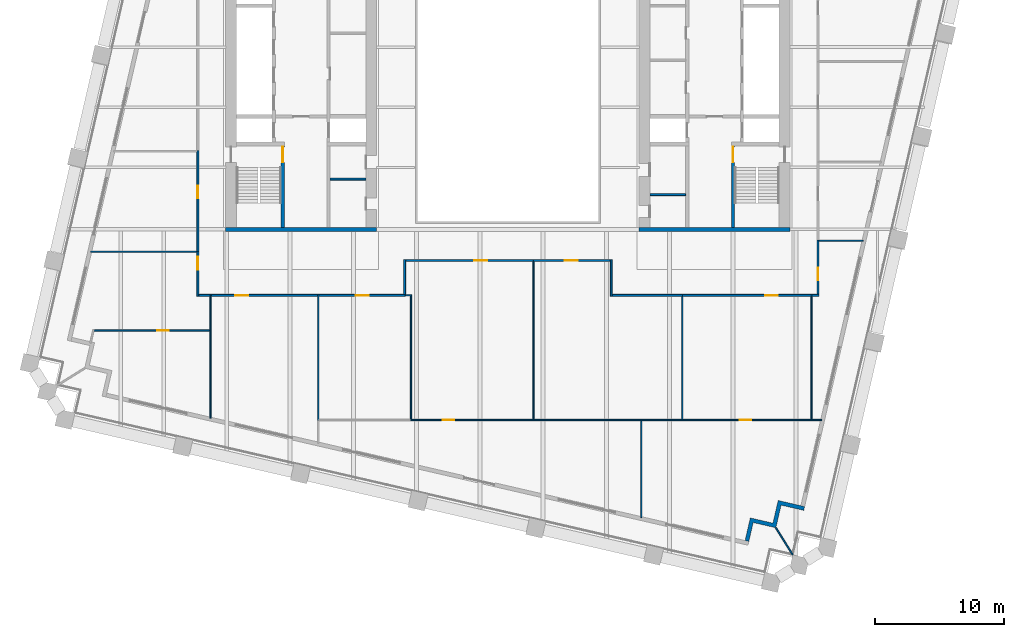
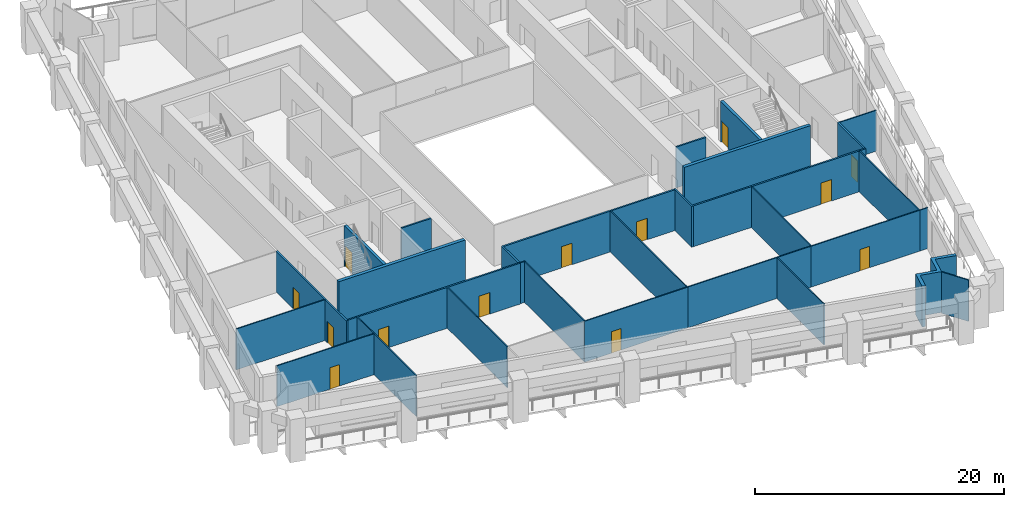
# One storey, part 4 of 9: 38 walls, 13 doors, 13 openings.
"""IFC4 building model written with IfcOpenShell, lengths in metres."""

from ifc_helpers import new_model, si_unit, direction, frame, frame_2d, origin, place, context, subcontext, project, spatial, polyline, rectangle, outline, extrude, material, layer, layer_set, type_object, element, fill, save


model = new_model("IFC4")

# Units and contexts
model_context = context("Model", 3, precision=1e-05, world=origin(), true_north=direction((0.0, 1.0)))
body_context = subcontext(model_context, "Body", "Model", "MODEL_VIEW")
ifc_project = project(units=[si_unit("LENGTHUNIT", "METRE"), si_unit("AREAUNIT", "SQUARE_METRE"), si_unit("VOLUMEUNIT", "CUBIC_METRE"), si_unit("PLANEANGLEUNIT", "RADIAN"), si_unit("MASSUNIT", "GRAM", prefix="KILO")], contexts=[model_context])

# Site, building, storey
site_placement = place(None, origin())
site = spatial("IfcSite", under=ifc_project, at=site_placement, CompositionType="ELEMENT")
building_placement = place(site_placement, origin())
building = spatial("IfcBuilding", under=site, at=building_placement, Name="Ogive Exchange Tower", CompositionType="ELEMENT")
storey_placement = place(building_placement, frame((0.0, 0.0, 126.60009765625)))
storey = spatial("IfcBuildingStorey", under=building, at=storey_placement, Name="L27", CompositionType="ELEMENT", Elevation=126.60009765625)

# Walls
ifc_material_1 = material(Name="Gypsum board partition")
ifc_layer_1 = layer(ifc_material_1, 0.14990234375)
ifc_layer_set_1 = layer_set([ifc_layer_1], Name="Core room partition 150 gypsum")
wall_type_1 = type_object("IfcWallType", Name="Core room partition 150 gypsum", PredefinedType="PARTITIONING", material=ifc_layer_set_1)
for number, where, z_axis, x_axis, name in (
    (1, (-13.75, 1.300048828125, 0.0), (0.0, 0.0, 1.0), (1.0, 0.0, 0.0), "W south room partition"),
    (2, (11.0, 0.10009765625, 0.0), (0.0, 0.0, 1.0), (1.0, 0.0, 0.0), "E south room partition"),
):
    element("IfcWall", number, at=place(storey_placement, frame(where, z_axis=z_axis, x_axis=x_axis)), inside=storey, type_object=wall_type_1, Name=name, PredefinedType="PARTITIONING", context=body_context, shape_type="SweptSolid", body=[
        extrude(rectangle(XDim=2.75, YDim=0.14990234375, at=frame_2d((1.375, 0.0))), origin(), (0.0, 0.0, 1.0), 4.0),
    ])

# Wall, opening, door
ifc_material_2 = material(Name="Fire partition EI 60 150")
ifc_layer_2 = layer(ifc_material_2, 0.14990234375)
ifc_layer_set_2 = layer_set([ifc_layer_2], Name="Fire partition EI 60 150")
wall_type_2 = type_object("IfcWallType", Name="Fire partition EI 60 150", PredefinedType="PARTITIONING", material=ifc_layer_set_2)
wall_1_placement = place(storey_placement, frame((-24.0, -7.77490234375, 0.0), z_axis=(0.0, 0.0, 1.0), x_axis=(0.0, 1.0, 0.0)))
wall_1 = element("IfcWall", 3, at=wall_1_placement, inside=storey, type_object=wall_type_2, Name="L27-PWL-003", PredefinedType="PARTITIONING", context=body_context, shape_type="SweptSolid", body=[
    extrude(rectangle(XDim=3.454833984375, YDim=0.14990234375, at=frame_2d((1.7275390625, 0.0))), origin(), (0.0, 0.0, 1.0), 4.0),
])
opening_1_placement = place(wall_1_placement, frame((2.054931640625, 0.0, 0.0)))
opening_1 = element("IfcOpeningElement", 4, at=opening_1_placement, cuts=wall_1, Name="Opening L27-I22", PredefinedType="OPENING", context=body_context, shape_type="SweptSolid", body=[
    extrude(rectangle(XDim=1.0, YDim=2.10009765625, at=frame_2d((0.5, 1.050048828125))), frame((0.0, 0.0849609375, 0.0), z_axis=(0.0, -1.0, 0.0), x_axis=(1.0, 0.0, 0.0)), (0.0, 0.0, 1.0), 0.169921875),
])
ifc_material_3 = material(Name="Fire door FD 30S 1000 x 2100")
door_type_1 = type_object("IfcDoorType", Name="Fire door FD 30S 1000 x 2100", OperationType="NOTDEFINED", PredefinedType="DOOR", material=ifc_material_3)
door_1_placement = place(opening_1_placement, origin())
door_1 = element("IfcDoor", 5, at=door_1_placement, inside=storey, type_object=door_type_1, Name="L27-IDR-022", ObjectType="DT3", OperationType="SINGLE_SWING_LEFT", OverallHeight=2.10009765625, OverallWidth=1.0, PredefinedType="DOOR", context=body_context, shape_type="SweptSolid", body=[
    extrude(rectangle(XDim=1.0, YDim=2.10009765625, at=frame_2d((0.5, 1.050048828125))), frame((0.0, 0.02490234375, 0.0), z_axis=(0.0, -1.0, 0.0), x_axis=(1.0, 0.0, 0.0)), (0.0, 0.0, 1.0), 0.050048828125),
])
fill(opening_1, door_1)

wall_2_placement = place(storey_placement, frame((-24.0, -4.320068359375, 0.0), z_axis=(0.0, 0.0, 1.0), x_axis=(0.0, 1.0, 0.0)))
wall_2 = element("IfcWall", 6, at=wall_2_placement, inside=storey, type_object=wall_type_2, Name="L27-PWL-005", PredefinedType="PARTITIONING", context=body_context, shape_type="SweptSolid", body=[
    extrude(rectangle(XDim=7.820068359375, YDim=0.14990234375, at=frame_2d((3.91015625, 0.0))), origin(), (0.0, 0.0, 1.0), 4.0),
])
opening_2_placement = place(wall_2_placement, frame((4.1201171875, 0.0, 0.0)))
opening_2 = element("IfcOpeningElement", 7, at=opening_2_placement, cuts=wall_2, Name="Opening L27-I21", PredefinedType="OPENING", context=body_context, shape_type="SweptSolid", body=[
    extrude(rectangle(XDim=1.0, YDim=2.10009765625, at=frame_2d((0.5, 1.050048828125))), frame((0.0, 0.0849609375, 0.0), z_axis=(0.0, -1.0, 0.0), x_axis=(1.0, 0.0, 0.0)), (0.0, 0.0, 1.0), 0.169921875),
])
door_2_placement = place(opening_2_placement, origin())
door_2 = element("IfcDoor", 8, at=door_2_placement, inside=storey, type_object=door_type_1, Name="L27-IDR-021", ObjectType="DT3", OperationType="SINGLE_SWING_LEFT", OverallHeight=2.10009765625, OverallWidth=1.0, PredefinedType="DOOR", context=body_context, shape_type="SweptSolid", body=[
    extrude(rectangle(XDim=1.0, YDim=2.10009765625, at=frame_2d((0.5, 1.050048828125))), frame((0.0, 0.02490234375, 0.0), z_axis=(0.0, -1.0, 0.0), x_axis=(1.0, 0.0, 0.0)), (0.0, 0.0, 1.0), 0.050048828125),
])
fill(opening_2, door_2)

# Wall
wall_3_placement = place(storey_placement, frame((-23.06005859375, -7.699951171875, 0.0), z_axis=(0.0, 0.0, 1.0), x_axis=(-1.0, 0.0, 0.0)))
element("IfcWall", 9, at=wall_3_placement, inside=storey, type_object=wall_type_2, Name="L27-PWL-013", PredefinedType="PARTITIONING", context=body_context, shape_type="SweptSolid", body=[
    extrude(rectangle(XDim=0.864990234375, YDim=0.14990234375, at=frame_2d((0.4326171875, 0.0))), origin(), (0.0, 0.0, 1.0), 4.0),
])

# Wall, opening, door
wall_4_placement = place(storey_placement, frame((-14.719970703125, -7.699951171875, 0.0), z_axis=(0.0, 0.0, 1.0), x_axis=(-1.0, 0.0, 0.0)))
wall_4 = element("IfcWall", 10, at=wall_4_placement, inside=storey, type_object=wall_type_2, Name="L27-PWL-017", PredefinedType="PARTITIONING", context=body_context, shape_type="SweptSolid", body=[
    extrude(rectangle(XDim=8.239990234375, YDim=0.14990234375, at=frame_2d((4.1201171875, 0.0))), origin(), (0.0, 0.0, 1.0), 4.0),
])
opening_3_placement = place(wall_4_placement, frame((5.389892578125, 0.0, 0.0)))
opening_3 = element("IfcOpeningElement", 11, at=opening_3_placement, cuts=wall_4, Name="Opening L27-I20", PredefinedType="OPENING", context=body_context, shape_type="SweptSolid", body=[
    extrude(rectangle(XDim=1.0, YDim=2.10009765625, at=frame_2d((0.5, 1.050048828125))), frame((0.0, 0.0849609375, 0.0), z_axis=(0.0, -1.0, 0.0), x_axis=(1.0, 0.0, 0.0)), (0.0, 0.0, 1.0), 0.169921875),
])
door_3_placement = place(opening_3_placement, origin())
door_3 = element("IfcDoor", 12, at=door_3_placement, inside=storey, type_object=door_type_1, Name="L27-IDR-020", ObjectType="DT3", OperationType="SINGLE_SWING_LEFT", OverallHeight=2.10009765625, OverallWidth=1.0, PredefinedType="DOOR", context=body_context, shape_type="SweptSolid", body=[
    extrude(rectangle(XDim=1.0, YDim=2.10009765625, at=frame_2d((0.5, 1.050048828125))), frame((0.0, 0.02490234375, 0.0), z_axis=(0.0, -1.0, 0.0), x_axis=(1.0, 0.0, 0.0)), (0.0, 0.0, 1.0), 0.050048828125),
])
fill(opening_3, door_3)

wall_5_placement = place(storey_placement, frame((-7.925048828125, -7.699951171875, 0.0), z_axis=(0.0, 0.0, 1.0), x_axis=(-1.0, 0.0, 0.0)))
wall_5 = element("IfcWall", 13, at=wall_5_placement, inside=storey, type_object=wall_type_2, Name="L27-PWL-021", PredefinedType="PARTITIONING", context=body_context, shape_type="SweptSolid", body=[
    extrude(rectangle(XDim=6.695068359375, YDim=0.14990234375, at=frame_2d((3.34765625, 0.0))), origin(), (0.0, 0.0, 1.0), 4.0),
])
opening_4_placement = place(wall_5_placement, frame((2.844970703125, 0.0, 0.0)))
opening_4 = element("IfcOpeningElement", 14, at=opening_4_placement, cuts=wall_5, Name="Opening L27-I03", PredefinedType="OPENING", context=body_context, shape_type="SweptSolid", body=[
    extrude(rectangle(XDim=1.0, YDim=2.10009765625, at=frame_2d((0.5, 1.050048828125))), frame((0.0, 0.0849609375, 0.0), z_axis=(0.0, -1.0, 0.0), x_axis=(1.0, 0.0, 0.0)), (0.0, 0.0, 1.0), 0.169921875),
])
door_4_placement = place(opening_4_placement, origin())
door_4 = element("IfcDoor", 15, at=door_4_placement, inside=storey, type_object=door_type_1, Name="L27-IDR-003", ObjectType="DT3", OperationType="SINGLE_SWING_LEFT", OverallHeight=2.10009765625, OverallWidth=1.0, PredefinedType="DOOR", context=body_context, shape_type="SweptSolid", body=[
    extrude(rectangle(XDim=1.0, YDim=2.10009765625, at=frame_2d((0.5, 1.050048828125))), frame((0.0, 0.02490234375, 0.0), z_axis=(0.0, -1.0, 0.0), x_axis=(1.0, 0.0, 0.0)), (0.0, 0.0, 1.0), 0.050048828125),
])
fill(opening_4, door_4)

# Wall
wall_6_placement = place(storey_placement, frame((-7.989990234375, -4.925048828125, 0.0), z_axis=(0.0, 0.0, 1.0), x_axis=(0.0, -1.0, 0.0)))
element("IfcWall", 16, at=wall_6_placement, inside=storey, type_object=wall_type_2, Name="L27-PWL-025", PredefinedType="PARTITIONING", context=body_context, shape_type="SweptSolid", body=[
    extrude(rectangle(XDim=2.68994140625, YDim=0.14990234375, at=frame_2d((1.344970703125, 0.0))), origin(), (0.0, 0.0, 1.0), 4.0),
])

# Wall, opening, door
wall_7_placement = place(storey_placement, frame((2.0400390625, -5.0, 0.0), z_axis=(0.0, 0.0, 1.0), x_axis=(-1.0, 0.0, 0.0)))
wall_7 = element("IfcWall", 17, at=wall_7_placement, inside=storey, type_object=wall_type_2, Name="L27-PWL-032", PredefinedType="PARTITIONING", context=body_context, shape_type="SweptSolid", body=[
    extrude(rectangle(XDim=9.955078125, YDim=0.14990234375, at=frame_2d((4.9775390625, 0.0))), origin(), (0.0, 0.0, 1.0), 4.0),
])
opening_5_placement = place(wall_7_placement, frame((3.6298828125, 0.0, 0.0)))
opening_5 = element("IfcOpeningElement", 18, at=opening_5_placement, cuts=wall_7, Name="Opening L27-I04", PredefinedType="OPENING", context=body_context, shape_type="SweptSolid", body=[
    extrude(rectangle(XDim=1.0, YDim=2.10009765625, at=frame_2d((0.5, 1.050048828125))), frame((0.0, 0.0849609375, 0.0), z_axis=(0.0, -1.0, 0.0), x_axis=(1.0, 0.0, 0.0)), (0.0, 0.0, 1.0), 0.169921875),
])
door_5_placement = place(opening_5_placement, origin())
door_5 = element("IfcDoor", 19, at=door_5_placement, inside=storey, type_object=door_type_1, Name="L27-IDR-004", ObjectType="DT3", OperationType="SINGLE_SWING_RIGHT", OverallHeight=2.10009765625, OverallWidth=1.0, PredefinedType="DOOR", context=body_context, shape_type="SweptSolid", body=[
    extrude(rectangle(XDim=1.0, YDim=2.10009765625, at=frame_2d((0.5, 1.050048828125))), frame((0.0, 0.02490234375, 0.0), z_axis=(0.0, -1.0, 0.0), x_axis=(1.0, 0.0, 0.0)), (0.0, 0.0, 1.0), 0.050048828125),
])
fill(opening_5, door_5)

# Wall
wall_8_placement = place(storey_placement, frame((8.0, -7.77490234375, 0.0), z_axis=(0.0, 0.0, 1.0), x_axis=(0.0, 1.0, 0.0)))
element("IfcWall", 20, at=wall_8_placement, inside=storey, type_object=wall_type_2, Name="L27-PWL-041", PredefinedType="PARTITIONING", context=body_context, shape_type="SweptSolid", body=[
    extrude(rectangle(XDim=2.849853515625, YDim=0.14990234375, at=frame_2d((1.4248046875, 0.0))), origin(), (0.0, 0.0, 1.0), 4.0),
])

# Wall, opening, door
wall_9_placement = place(storey_placement, frame((7.925048828125, -5.0, 0.0), z_axis=(0.0, 0.0, 1.0), x_axis=(-1.0, 0.0, 0.0)))
wall_9 = element("IfcWall", 21, at=wall_9_placement, inside=storey, type_object=wall_type_2, Name="L27-PWL-042", PredefinedType="PARTITIONING", context=body_context, shape_type="SweptSolid", body=[
    extrude(rectangle(XDim=5.93505859375, YDim=0.14990234375, at=frame_2d((2.967529296875, 0.0))), origin(), (0.0, 0.0, 1.0), 4.0),
])
opening_6_placement = place(wall_9_placement, frame((2.534912109375, 0.0, 0.0)))
opening_6 = element("IfcOpeningElement", 22, at=opening_6_placement, cuts=wall_9, Name="Opening L27-I05", PredefinedType="OPENING", context=body_context, shape_type="SweptSolid", body=[
    extrude(rectangle(XDim=1.0, YDim=2.10009765625, at=frame_2d((0.5, 1.050048828125))), frame((0.0, 0.0849609375, 0.0), z_axis=(0.0, -1.0, 0.0), x_axis=(1.0, 0.0, 0.0)), (0.0, 0.0, 1.0), 0.169921875),
])
door_6_placement = place(opening_6_placement, origin())
door_6 = element("IfcDoor", 23, at=door_6_placement, inside=storey, type_object=door_type_1, Name="L27-IDR-005", ObjectType="DT3", OperationType="SINGLE_SWING_LEFT", OverallHeight=2.10009765625, OverallWidth=1.0, PredefinedType="DOOR", context=body_context, shape_type="SweptSolid", body=[
    extrude(rectangle(XDim=1.0, YDim=2.10009765625, at=frame_2d((0.5, 1.050048828125))), frame((0.0, 0.02490234375, 0.0), z_axis=(0.0, -1.0, 0.0), x_axis=(1.0, 0.0, 0.0)), (0.0, 0.0, 1.0), 0.050048828125),
])
fill(opening_6, door_6)

# Wall
wall_10_placement = place(storey_placement, frame((13.5, -7.699951171875, 0.0), z_axis=(0.0, 0.0, 1.0), x_axis=(-1.0, 0.0, 0.0)))
element("IfcWall", 24, at=wall_10_placement, inside=storey, type_object=wall_type_2, Name="L27-PWL-047", PredefinedType="PARTITIONING", context=body_context, shape_type="SweptSolid", body=[
    extrude(rectangle(XDim=5.425048828125, YDim=0.14990234375, at=frame_2d((2.71240234375, 0.0))), origin(), (0.0, 0.0, 1.0), 4.0),
])

# Wall, opening, door
wall_11_placement = place(storey_placement, frame((23.550048828125, -7.699951171875, 0.0), z_axis=(0.0, 0.0, 1.0), x_axis=(-1.0, 0.0, 0.0)))
wall_11 = element("IfcWall", 25, at=wall_11_placement, inside=storey, type_object=wall_type_2, Name="L27-PWL-054", PredefinedType="PARTITIONING", context=body_context, shape_type="SweptSolid", body=[
    extrude(rectangle(XDim=10.050048828125, YDim=0.14990234375, at=frame_2d((5.02490234375, 0.0))), origin(), (0.0, 0.0, 1.0), 4.0),
])
opening_7_placement = place(wall_11_placement, frame((2.64990234375, 0.0, 0.0)))
opening_7 = element("IfcOpeningElement", 26, at=opening_7_placement, cuts=wall_11, Name="Opening L27-I06", PredefinedType="OPENING", context=body_context, shape_type="SweptSolid", body=[
    extrude(rectangle(XDim=1.0, YDim=2.10009765625, at=frame_2d((0.5, 1.050048828125))), frame((0.0, 0.0849609375, 0.0), z_axis=(0.0, -1.0, 0.0), x_axis=(1.0, 0.0, 0.0)), (0.0, 0.0, 1.0), 0.169921875),
])
door_7_placement = place(opening_7_placement, origin())
door_7 = element("IfcDoor", 27, at=door_7_placement, inside=storey, type_object=door_type_1, Name="L27-IDR-006", ObjectType="DT3", OperationType="SINGLE_SWING_RIGHT", OverallHeight=2.10009765625, OverallWidth=1.0, PredefinedType="DOOR", context=body_context, shape_type="SweptSolid", body=[
    extrude(rectangle(XDim=1.0, YDim=2.10009765625, at=frame_2d((0.5, 1.050048828125))), frame((0.0, 0.02490234375, 0.0), z_axis=(0.0, -1.0, 0.0), x_axis=(1.0, 0.0, 0.0)), (0.0, 0.0, 1.0), 0.050048828125),
])
fill(opening_7, door_7)

# Wall
wall_12_placement = place(storey_placement, frame((24.074951171875, -7.699951171875, 0.0), z_axis=(0.0, 0.0, 1.0), x_axis=(-1.0, 0.0, 0.0)))
element("IfcWall", 28, at=wall_12_placement, inside=storey, type_object=wall_type_2, Name="L27-PWL-056", PredefinedType="PARTITIONING", context=body_context, shape_type="SweptSolid", body=[
    extrude(rectangle(XDim=0.52490234375, YDim=0.14990234375, at=frame_2d((0.262451171875, 0.0))), origin(), (0.0, 0.0, 1.0), 4.0),
])

# Wall, opening, door
wall_13_placement = place(storey_placement, frame((24.0, -3.429931640625, 0.0), z_axis=(0.0, 0.0, 1.0), x_axis=(0.0, -1.0, 0.0)))
wall_13 = element("IfcWall", 29, at=wall_13_placement, inside=storey, type_object=wall_type_2, Name="L27-PWL-057", PredefinedType="PARTITIONING", context=body_context, shape_type="SweptSolid", body=[
    extrude(rectangle(XDim=4.195068359375, YDim=0.14990234375, at=frame_2d((2.09765625, 0.0))), origin(), (0.0, 0.0, 1.0), 4.0),
])
opening_8_placement = place(wall_13_placement, frame((2.1201171875, 0.0, 0.0)))
opening_8 = element("IfcOpeningElement", 30, at=opening_8_placement, cuts=wall_13, Name="Opening L27-I07", PredefinedType="OPENING", context=body_context, shape_type="SweptSolid", body=[
    extrude(rectangle(XDim=1.0, YDim=2.10009765625, at=frame_2d((0.5, 1.050048828125))), frame((0.0, 0.0849609375, 0.0), z_axis=(0.0, -1.0, 0.0), x_axis=(1.0, 0.0, 0.0)), (0.0, 0.0, 1.0), 0.169921875),
])
door_8_placement = place(opening_8_placement, origin())
door_8 = element("IfcDoor", 31, at=door_8_placement, inside=storey, type_object=door_type_1, Name="L27-IDR-007", ObjectType="DT3", OperationType="SINGLE_SWING_RIGHT", OverallHeight=2.10009765625, OverallWidth=1.0, PredefinedType="DOOR", context=body_context, shape_type="SweptSolid", body=[
    extrude(rectangle(XDim=1.0, YDim=2.10009765625, at=frame_2d((0.5, 1.050048828125))), frame((0.0, 0.02490234375, 0.0), z_axis=(0.0, -1.0, 0.0), x_axis=(1.0, 0.0, 0.0)), (0.0, 0.0, 1.0), 0.050048828125),
])
fill(opening_8, door_8)

# Walls
ifc_material_4 = material(Name="Precast concrete C40/50", Category="concrete")
ifc_layer_3 = layer(ifc_material_4, 0.300048828125)
ifc_layer_set_3 = layer_set([ifc_layer_3], Name="Limestone-faced wall 300")
wall_type_3 = type_object("IfcWallType", Name="Limestone-faced wall 300", PredefinedType="STANDARD", material=ifc_layer_set_3)
wall_14_placement = place(storey_placement, origin())
element("IfcWall", 32, at=wall_14_placement, inside=storey, type_object=wall_type_3, Name="External corner wall C1", PredefinedType="STANDARD", context=body_context, shape_type="SweptSolid", body=[
    extrude(outline(polyline([(20.515380859375, -25.330810546875), (20.92041015625, -23.576904296875), (22.966552734375, -24.04931640625), (22.89892578125, -24.341552734375), (21.145263671875, -23.936767578125), (20.740234375, -25.690673828125), (18.986328125, -25.28564453125), (18.64892578125, -26.747314453125), (18.356689453125, -26.6796875), (18.76171875, -24.92578125), (20.515380859375, -25.330810546875)])), origin(), (0.0, 0.0, 1.0), 4.0),
])
ifc_material_5 = material(Name="Laminated safety glass in steel frame", Category="steel")
ifc_layer_4 = layer(ifc_material_5, 0.10009765625)
ifc_layer_set_4 = layer_set([ifc_layer_4], Name="Loggia end screen 100")
wall_type_4 = type_object("IfcWallType", Name="Loggia end screen 100", PredefinedType="STANDARD", material=ifc_layer_set_4)
wall_15_placement = place(storey_placement, frame((20.740234375, -25.690673828125, -0.050048828125), z_axis=(0.0, 0.0, 1.0), x_axis=(0.529972121605, -0.848015064914, 0.0)))
element("IfcWall", 33, at=wall_15_placement, inside=storey, type_object=wall_type_4, Name="Loggia end screen C1", PredefinedType="STANDARD", context=body_context, shape_type="SweptSolid", body=[
    extrude(rectangle(XDim=2.454833984375, YDim=0.10009765625, at=frame_2d((1.2275390625, 0.0))), origin(), (0.0, 0.0, 1.0), 4.050048828125),
])
ifc_material_6 = material(Name="Partition 100 gypsum")
ifc_layer_5 = layer(ifc_material_6, 0.10009765625)
ifc_layer_set_5 = layer_set([ifc_layer_5], Name="Partition 100 gypsum")
wall_type_5 = type_object("IfcWallType", Name="Partition 100 gypsum", PredefinedType="PARTITIONING", material=ifc_layer_set_5)
wall_16_placement = place(storey_placement, frame((-24.074951171875, -4.320068359375, 0.0), z_axis=(0.0, 0.0, 1.0), x_axis=(-1.0, 0.0, 0.0)))
element("IfcWall", 34, at=wall_16_placement, inside=storey, type_object=wall_type_5, Name="L27-PWL-004", PredefinedType="PARTITIONING", context=body_context, shape_type="SweptSolid", body=[
    extrude(rectangle(XDim=8.217041015625, YDim=0.10009765625, at=frame_2d((4.1083984375, 0.0))), origin(), (0.0, 0.0, 1.0), 4.0),
])
wall_17_placement = place(storey_placement, frame((-23.010009765625, -17.2119140625, 0.0), z_axis=(0.0, 0.0, 1.0), x_axis=(0.0, 1.0, 0.0)))
element("IfcWall", 35, at=wall_17_placement, inside=storey, type_object=wall_type_5, Name="L27-PWL-010", PredefinedType="PARTITIONING", context=body_context, shape_type="SweptSolid", body=[
    extrude(rectangle(XDim=6.851806640625, YDim=0.10009765625, at=frame_2d((3.42578125, 0.0))), origin(), (0.0, 0.0, 1.0), 4.0),
])

# Wall, opening, door
wall_18_placement = place(storey_placement, frame((-23.06005859375, -10.409912109375, 0.0), z_axis=(0.0, 0.0, 1.0), x_axis=(-1.0, 0.0, 0.0)))
wall_18 = element("IfcWall", 36, at=wall_18_placement, inside=storey, type_object=wall_type_5, Name="L27-PWL-011", PredefinedType="PARTITIONING", context=body_context, shape_type="SweptSolid", body=[
    extrude(rectangle(XDim=8.969970703125, YDim=0.10009765625, at=frame_2d((4.48486328125, 0.0))), origin(), (0.0, 0.0, 1.0), 4.0),
])
opening_9_placement = place(wall_18_placement, frame((3.169921875, 0.0, 0.0)))
opening_9 = element("IfcOpeningElement", 37, at=opening_9_placement, cuts=wall_18, Name="Opening L27-I23", PredefinedType="OPENING", context=body_context, shape_type="SweptSolid", body=[
    extrude(rectangle(XDim=0.89990234375, YDim=2.10009765625, at=frame_2d((0.449951171875, 1.050048828125))), frame((0.0, 0.06005859375, 0.0), z_axis=(0.0, -1.0, 0.0), x_axis=(1.0, 0.0, 0.0)), (0.0, 0.0, 1.0), 0.1201171875),
])
ifc_material_7 = material(Name="Door 900 x 2100")
door_type_2 = type_object("IfcDoorType", Name="Door 900 x 2100", OperationType="NOTDEFINED", PredefinedType="DOOR", material=ifc_material_7)
door_9_placement = place(opening_9_placement, origin())
door_9 = element("IfcDoor", 38, at=door_9_placement, inside=storey, type_object=door_type_2, Name="L27-IDR-023", ObjectType="DT1", OperationType="SINGLE_SWING_RIGHT", OverallHeight=2.10009765625, OverallWidth=0.89990234375, PredefinedType="DOOR", context=body_context, shape_type="SweptSolid", body=[
    extrude(rectangle(XDim=0.89990234375, YDim=2.10009765625, at=frame_2d((0.449951171875, 1.050048828125))), frame((0.0, 0.02490234375, 0.0), z_axis=(0.0, -1.0, 0.0), x_axis=(1.0, 0.0, 0.0)), (0.0, 0.0, 1.0), 0.050048828125),
])
fill(opening_9, door_9)

# Walls
wall_19_placement = place(storey_placement, frame((-23.010009765625, -10.360107421875, 0.0), z_axis=(0.0, 0.0, 1.0), x_axis=(0.0, 1.0, 0.0)))
element("IfcWall", 39, at=wall_19_placement, inside=storey, type_object=wall_type_5, Name="L27-PWL-012", PredefinedType="PARTITIONING", context=body_context, shape_type="SweptSolid", body=[
    extrude(rectangle(XDim=2.735107421875, YDim=0.10009765625, at=frame_2d((1.36767578125, 0.0))), origin(), (0.0, 0.0, 1.0), 4.0),
])
wall_20_placement = place(storey_placement, frame((-14.669921875, -17.389892578125, 0.0), z_axis=(0.0, 0.0, 1.0), x_axis=(0.0, 1.0, 0.0)))
element("IfcWall", 40, at=wall_20_placement, inside=storey, type_object=wall_type_5, Name="L27-PWL-015", PredefinedType="PARTITIONING", context=body_context, shape_type="SweptSolid", body=[
    extrude(rectangle(XDim=9.764892578125, YDim=0.10009765625, at=frame_2d((4.88232421875, 0.0))), origin(), (0.0, 0.0, 1.0), 4.0),
])
wall_21_placement = place(storey_placement, frame((-7.925048828125, -7.68994140625, 0.0), z_axis=(0.0, 0.0, 1.0), x_axis=(1.0, 0.0, 0.0)))
element("IfcWall", 41, at=wall_21_placement, inside=storey, type_object=wall_type_5, Name="L27-PWL-024", PredefinedType="PARTITIONING", context=body_context, shape_type="SweptSolid", body=[
    extrude(rectangle(XDim=0.47509765625, YDim=0.10009765625, at=frame_2d((0.237548828125, 0.0))), origin(), (0.0, 0.0, 1.0), 4.0),
])

# Wall, opening, door
wall_22_placement = place(storey_placement, frame((-7.550048828125, -17.340087890625, 0.0), z_axis=(0.0, 0.0, 1.0), x_axis=(1.0, 0.0, 0.0)))
wall_22 = element("IfcWall", 42, at=wall_22_placement, inside=storey, type_object=wall_type_5, Name="L27-PWL-026", PredefinedType="PARTITIONING", context=body_context, shape_type="SweptSolid", body=[
    extrude(rectangle(XDim=9.590087890625, YDim=0.10009765625, at=frame_2d((4.794921875, 0.0))), origin(), (0.0, 0.0, 1.0), 4.0),
])
opening_10_placement = place(wall_22_placement, frame((2.5, 0.0, 0.0)))
opening_10 = element("IfcOpeningElement", 43, at=opening_10_placement, cuts=wall_22, Name="Opening L27-I01", PredefinedType="OPENING", context=body_context, shape_type="SweptSolid", body=[
    extrude(rectangle(XDim=0.89990234375, YDim=2.10009765625, at=frame_2d((0.449951171875, 1.050048828125))), frame((0.0, 0.06005859375, 0.0), z_axis=(0.0, -1.0, 0.0), x_axis=(1.0, 0.0, 0.0)), (0.0, 0.0, 1.0), 0.1201171875),
])
door_10_placement = place(opening_10_placement, frame((0.89990234375, 0.0, 0.0), z_axis=(0.0, 0.0, 1.0), x_axis=(-1.0, 0.0, 0.0)))
door_10 = element("IfcDoor", 44, at=door_10_placement, inside=storey, type_object=door_type_2, Name="L27-IDR-001", ObjectType="DT1", OperationType="SINGLE_SWING_LEFT", OverallHeight=2.10009765625, OverallWidth=0.89990234375, PredefinedType="DOOR", context=body_context, shape_type="SweptSolid", body=[
    extrude(rectangle(XDim=0.89990234375, YDim=2.10009765625, at=frame_2d((0.449951171875, 1.050048828125))), frame((0.0, 0.02490234375, 0.0), z_axis=(0.0, -1.0, 0.0), x_axis=(1.0, 0.0, 0.0)), (0.0, 0.0, 1.0), 0.050048828125),
])
fill(opening_10, door_10)

# Walls
wall_23_placement = place(storey_placement, frame((-7.5, -7.739990234375, 0.0), z_axis=(0.0, 0.0, 1.0), x_axis=(0.0, -1.0, 0.0)))
element("IfcWall", 45, at=wall_23_placement, inside=storey, type_object=wall_type_5, Name="L27-PWL-027", PredefinedType="PARTITIONING", context=body_context, shape_type="SweptSolid", body=[
    extrude(rectangle(XDim=9.550048828125, YDim=0.10009765625, at=frame_2d((4.77490234375, 0.0))), origin(), (0.0, 0.0, 1.0), 4.0),
])
wall_24_placement = place(storey_placement, frame((2.0400390625, -17.340087890625, 0.0), z_axis=(0.0, 0.0, 1.0), x_axis=(1.0, 0.0, 0.0)))
element("IfcWall", 46, at=wall_24_placement, inside=storey, type_object=wall_type_5, Name="L27-PWL-031", PredefinedType="PARTITIONING", context=body_context, shape_type="SweptSolid", body=[
    extrude(rectangle(XDim=8.330078125, YDim=0.10009765625, at=frame_2d((4.1650390625, 0.0))), origin(), (0.0, 0.0, 1.0), 4.0),
])
wall_25_placement = place(storey_placement, frame((1.989990234375, -5.074951171875, 0.0), z_axis=(0.0, 0.0, 1.0), x_axis=(0.0, -1.0, 0.0)))
element("IfcWall", 47, at=wall_25_placement, inside=storey, type_object=wall_type_5, Name="L27-PWL-033", PredefinedType="PARTITIONING", context=body_context, shape_type="SweptSolid", body=[
    extrude(rectangle(XDim=12.215087890625, YDim=0.10009765625, at=frame_2d((6.107421875, 0.0))), origin(), (0.0, 0.0, 1.0), 4.0),
])
wall_26_placement = place(storey_placement, frame((10.320068359375, -17.389892578125, 0.0), z_axis=(0.0, 0.0, 1.0), x_axis=(0.0, -1.0, 0.0)))
element("IfcWall", 48, at=wall_26_placement, inside=storey, type_object=wall_type_5, Name="L27-PWL-044", PredefinedType="PARTITIONING", context=body_context, shape_type="SweptSolid", body=[
    extrude(rectangle(XDim=7.51708984375, YDim=0.10009765625, at=frame_2d((3.758544921875, 0.0))), origin(), (0.0, 0.0, 1.0), 4.0),
])
wall_27_placement = place(storey_placement, frame((10.320068359375, -17.340087890625, 0.0), z_axis=(0.0, 0.0, 1.0), x_axis=(1.0, 0.0, 0.0)))
element("IfcWall", 49, at=wall_27_placement, inside=storey, type_object=wall_type_5, Name="L27-PWL-045", PredefinedType="PARTITIONING", context=body_context, shape_type="SweptSolid", body=[
    extrude(rectangle(XDim=3.1298828125, YDim=0.10009765625, at=frame_2d((1.56494140625, 0.0))), origin(), (0.0, 0.0, 1.0), 4.0),
])

# Wall, opening, door
wall_28_placement = place(storey_placement, frame((13.449951171875, -17.340087890625, 0.0), z_axis=(0.0, 0.0, 1.0), x_axis=(1.0, 0.0, 0.0)))
wall_28 = element("IfcWall", 50, at=wall_28_placement, inside=storey, type_object=wall_type_5, Name="L27-PWL-046", PredefinedType="PARTITIONING", context=body_context, shape_type="SweptSolid", body=[
    extrude(rectangle(XDim=10.10009765625, YDim=0.10009765625, at=frame_2d((5.050048828125, 0.0))), origin(), (0.0, 0.0, 1.0), 4.0),
])
opening_11_placement = place(wall_28_placement, frame((4.5, 0.0, 0.0)))
opening_11 = element("IfcOpeningElement", 51, at=opening_11_placement, cuts=wall_28, Name="Opening L27-I02", PredefinedType="OPENING", context=body_context, shape_type="SweptSolid", body=[
    extrude(rectangle(XDim=0.89990234375, YDim=2.10009765625, at=frame_2d((0.449951171875, 1.050048828125))), frame((0.0, 0.06005859375, 0.0), z_axis=(0.0, -1.0, 0.0), x_axis=(1.0, 0.0, 0.0)), (0.0, 0.0, 1.0), 0.1201171875),
])
door_11_placement = place(opening_11_placement, origin())
door_11 = element("IfcDoor", 52, at=door_11_placement, inside=storey, type_object=door_type_2, Name="L27-IDR-002", ObjectType="DT1", OperationType="SINGLE_SWING_RIGHT", OverallHeight=2.10009765625, OverallWidth=0.89990234375, PredefinedType="DOOR", context=body_context, shape_type="SweptSolid", body=[
    extrude(rectangle(XDim=0.89990234375, YDim=2.10009765625, at=frame_2d((0.449951171875, 1.050048828125))), frame((0.0, 0.02490234375, 0.0), z_axis=(0.0, -1.0, 0.0), x_axis=(1.0, 0.0, 0.0)), (0.0, 0.0, 1.0), 0.050048828125),
])
fill(opening_11, door_11)

# Walls
wall_29_placement = place(storey_placement, frame((13.5, -7.77490234375, 0.0), z_axis=(0.0, 0.0, 1.0), x_axis=(0.0, -1.0, 0.0)))
element("IfcWall", 53, at=wall_29_placement, inside=storey, type_object=wall_type_5, Name="L27-PWL-048", PredefinedType="PARTITIONING", context=body_context, shape_type="SweptSolid", body=[
    extrude(rectangle(XDim=9.51513671875, YDim=0.10009765625, at=frame_2d((4.757568359375, 0.0))), origin(), (0.0, 0.0, 1.0), 4.0),
])
wall_30_placement = place(storey_placement, frame((23.550048828125, -17.340087890625, 0.0), z_axis=(0.0, 0.0, 1.0), x_axis=(1.0, 0.0, 0.0)))
element("IfcWall", 54, at=wall_30_placement, inside=storey, type_object=wall_type_5, Name="L27-PWL-053", PredefinedType="PARTITIONING", context=body_context, shape_type="SweptSolid", body=[
    extrude(rectangle(XDim=0.739990234375, YDim=0.10009765625, at=frame_2d((0.3701171875, 0.0))), origin(), (0.0, 0.0, 1.0), 4.0),
])
wall_31_placement = place(storey_placement, frame((23.5, -7.77490234375, 0.0), z_axis=(0.0, 0.0, 1.0), x_axis=(0.0, -1.0, 0.0)))
element("IfcWall", 55, at=wall_31_placement, inside=storey, type_object=wall_type_5, Name="L27-PWL-055", PredefinedType="PARTITIONING", context=body_context, shape_type="SweptSolid", body=[
    extrude(rectangle(XDim=9.51513671875, YDim=0.10009765625, at=frame_2d((4.757568359375, 0.0))), origin(), (0.0, 0.0, 1.0), 4.0),
])
wall_32_placement = place(storey_placement, frame((24.074951171875, -3.47998046875, 0.0), z_axis=(0.0, 0.0, 1.0), x_axis=(1.0, 0.0, 0.0)))
element("IfcWall", 56, at=wall_32_placement, inside=storey, type_object=wall_type_5, Name="L27-PWL-058", PredefinedType="PARTITIONING", context=body_context, shape_type="SweptSolid", body=[
    extrude(rectangle(XDim=3.4150390625, YDim=0.10009765625, at=frame_2d((1.70751953125, 0.0))), origin(), (0.0, 0.0, 1.0), 4.0),
])

# Wall, opening, door
ifc_material_8 = material(Name="Concrete C70/85", Category="concrete")
ifc_layer_6 = layer(ifc_material_8, 0.25)
ifc_layer_set_6 = layer_set([ifc_layer_6], Name="RC core wall 250 C70/85")
wall_type_6 = type_object("IfcWallType", Name="RC core wall 250 C70/85", PredefinedType="SHEAR", material=ifc_layer_set_6)
wall_33_placement = place(storey_placement, frame((-17.425048828125, -2.449951171875, 0.0), z_axis=(0.0, 0.0, 1.0), x_axis=(0.0, 1.0, 0.0)))
wall_33 = element("IfcWall", 57, at=wall_33_placement, inside=storey, type_object=wall_type_6, Name="W stair S front wall", PredefinedType="SHEAR", context=body_context, shape_type="SweptSolid", body=[
    extrude(rectangle(XDim=6.300048828125, YDim=0.25, at=frame_2d((3.14990234375, 0.0))), origin(), (0.0, 0.0, 1.0), 4.0),
])
opening_12_placement = place(wall_33_placement, frame((5.050048828125, 0.0, 0.0)))
opening_12 = element("IfcOpeningElement", 58, at=opening_12_placement, cuts=wall_33, Name="Opening L27-C13", PredefinedType="OPENING", context=body_context, shape_type="SweptSolid", body=[
    extrude(rectangle(XDim=1.199951171875, YDim=2.10009765625, at=frame_2d((0.60009765625, 1.050048828125))), frame((0.0, 0.135009765625, 0.0), z_axis=(0.0, -1.0, 0.0), x_axis=(1.0, 0.0, 0.0)), (0.0, 0.0, 1.0), 0.27001953125),
])
ifc_material_9 = material(Name="Steel fire door", Category="steel")
door_type_3 = type_object("IfcDoorType", Name="Stair door FD90 1200 x 2100", OperationType="NOTDEFINED", PredefinedType="DOOR", material=ifc_material_9)
door_12_placement = place(opening_12_placement, origin())
door_12 = element("IfcDoor", 59, at=door_12_placement, inside=storey, type_object=door_type_3, Name="Stair door", ObjectType="CD5", OperationType="SINGLE_SWING_LEFT", OverallHeight=2.10009765625, OverallWidth=1.199951171875, PredefinedType="DOOR", context=body_context, shape_type="SweptSolid", body=[
    extrude(rectangle(XDim=1.199951171875, YDim=2.10009765625, at=frame_2d((0.60009765625, 1.050048828125))), frame((0.0, 0.02490234375, 0.0), z_axis=(0.0, -1.0, 0.0), x_axis=(1.0, 0.0, 0.0)), (0.0, 0.0, 1.0), 0.050048828125),
])
fill(opening_12, door_12)

wall_34_placement = place(storey_placement, frame((17.425048828125, -2.449951171875, 0.0), z_axis=(0.0, 0.0, 1.0), x_axis=(0.0, 1.0, 0.0)))
wall_34 = element("IfcWall", 60, at=wall_34_placement, inside=storey, type_object=wall_type_6, Name="E stair S front wall", PredefinedType="SHEAR", context=body_context, shape_type="SweptSolid", body=[
    extrude(rectangle(XDim=6.300048828125, YDim=0.25, at=frame_2d((3.14990234375, 0.0))), origin(), (0.0, 0.0, 1.0), 4.0),
])
opening_13_placement = place(wall_34_placement, frame((5.050048828125, 0.0, 0.0)))
opening_13 = element("IfcOpeningElement", 61, at=opening_13_placement, cuts=wall_34, Name="Opening L27-C32", PredefinedType="OPENING", context=body_context, shape_type="SweptSolid", body=[
    extrude(rectangle(XDim=1.199951171875, YDim=2.10009765625, at=frame_2d((0.60009765625, 1.050048828125))), frame((0.0, 0.135009765625, 0.0), z_axis=(0.0, -1.0, 0.0), x_axis=(1.0, 0.0, 0.0)), (0.0, 0.0, 1.0), 0.27001953125),
])
door_13_placement = place(opening_13_placement, frame((1.199951171875, 0.0, 0.0), z_axis=(0.0, 0.0, 1.0), x_axis=(-1.0, 0.0, 0.0)))
door_13 = element("IfcDoor", 62, at=door_13_placement, inside=storey, type_object=door_type_3, Name="Stair door", ObjectType="CD5", OperationType="SINGLE_SWING_RIGHT", OverallHeight=2.10009765625, OverallWidth=1.199951171875, PredefinedType="DOOR", context=body_context, shape_type="SweptSolid", body=[
    extrude(rectangle(XDim=1.199951171875, YDim=2.10009765625, at=frame_2d((0.60009765625, 1.050048828125))), frame((0.0, 0.02490234375, 0.0), z_axis=(0.0, -1.0, 0.0), x_axis=(1.0, 0.0, 0.0)), (0.0, 0.0, 1.0), 0.050048828125),
])
fill(opening_13, door_13)

# Walls
ifc_layer_7 = layer(ifc_material_8, 0.300048828125)
ifc_layer_set_7 = layer_set([ifc_layer_7], Name="RC core wall 300 C70/85")
wall_type_7 = type_object("IfcWallType", Name="RC core wall 300 C70/85", PredefinedType="SHEAR", material=ifc_layer_set_7)
for number, where, z_axis, x_axis, name in (
    (63, (-21.85009765625, -2.60009765625, 0.0), (0.0, 0.0, 1.0), (1.0, 0.0, 0.0), "W south end wall"),
    (64, (10.14990234375, -2.60009765625, 0.0), (0.0, 0.0, 1.0), (1.0, 0.0, 0.0), "E south end wall"),
):
    element("IfcWall", number, at=place(storey_placement, frame(where, z_axis=z_axis, x_axis=x_axis)), inside=storey, type_object=wall_type_7, Name=name, PredefinedType="SHEAR", context=body_context, shape_type="SweptSolid", body=[
        extrude(rectangle(XDim=11.7001953125, YDim=0.300048828125, at=frame_2d((5.85009765625, 0.0))), origin(), (0.0, 0.0, 1.0), 4.0),
    ])

save(model, "model.ifc")
